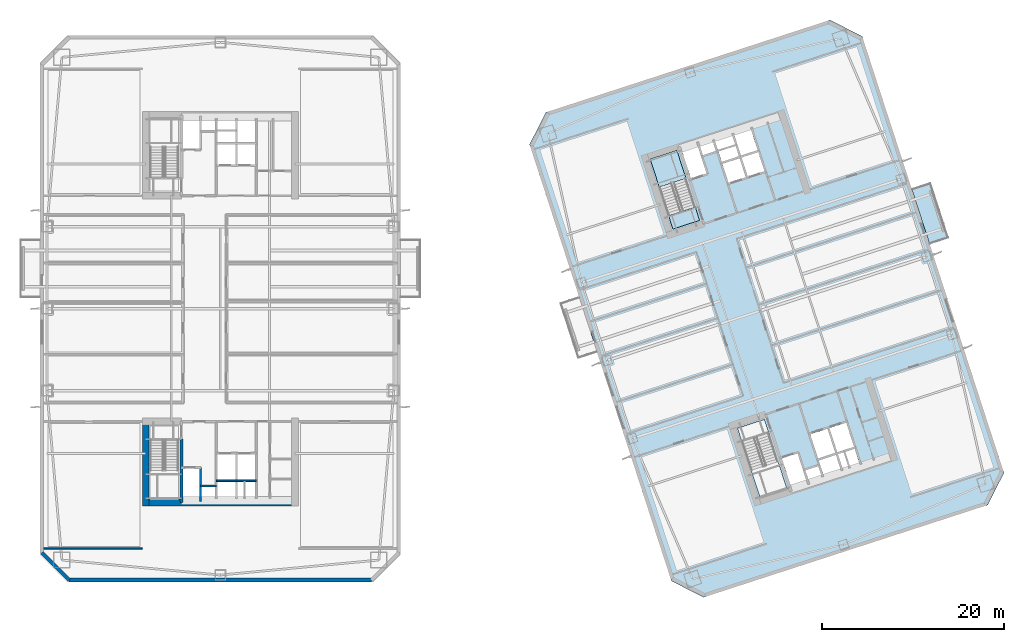
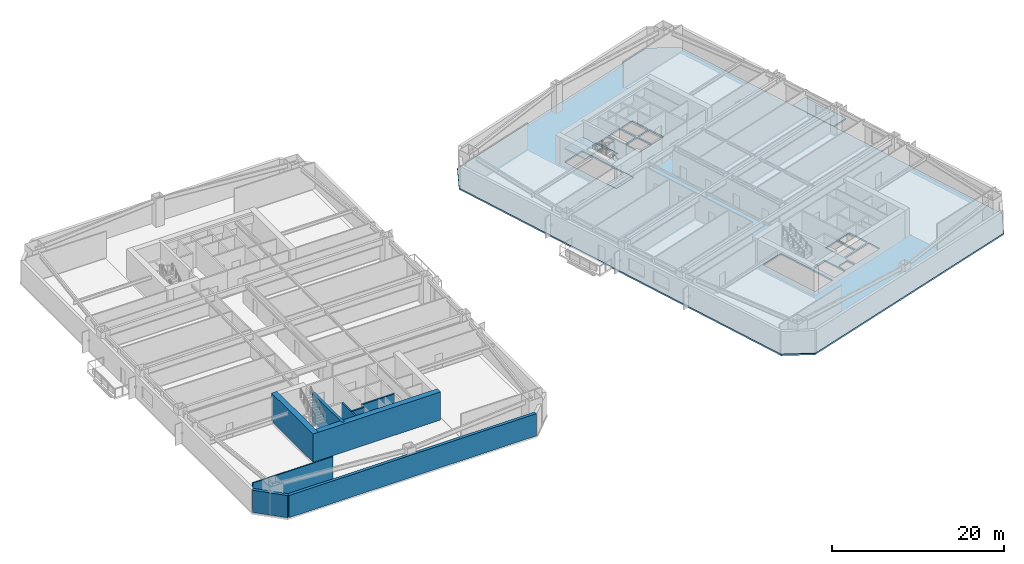
# One storey, part 3 of 21: 9 walls, 4 slabs, 1 element without a shape of its own.
"""IFC4 building model written with IfcOpenShell, lengths in metres."""

from ifc_helpers import new_model, si_unit, direction, frame, frame_2d, origin, place, context, subcontext, project, spatial, polyline, rectangle, outline, extrude, material, layer, layer_set, type_object, element, aggregate, save


model = new_model("IFC4")

# Units and contexts
model_context = context("Model", 3, precision=1e-05, world=origin(), true_north=direction((0.0, 1.0)))
body_context = subcontext(model_context, "Body", "Model", "MODEL_VIEW")
ifc_project = project(units=[si_unit("LENGTHUNIT", "METRE"), si_unit("AREAUNIT", "SQUARE_METRE"), si_unit("VOLUMEUNIT", "CUBIC_METRE"), si_unit("PLANEANGLEUNIT", "RADIAN"), si_unit("MASSUNIT", "GRAM", prefix="KILO")], contexts=[model_context])

# Site, building, storey
site_placement = place(None, origin())
site = spatial("IfcSite", under=ifc_project, at=site_placement, CompositionType="ELEMENT")
building_placement = place(site_placement, origin())
building = spatial("IfcBuilding", under=site, at=building_placement, Name="Qiaolan Cultural Towers", CompositionType="ELEMENT")
storey_placement = place(building_placement, frame((0.0, 0.0, 34.0)))
storey = spatial("IfcBuildingStorey", under=building, at=storey_placement, Name="L07", CompositionType="ELEMENT", Elevation=34.0)

# Slab
ifc_material_1 = material(Name="Concrete C45", Category="concrete")
ifc_layer_1 = layer(ifc_material_1, 0.239990234375)
ifc_layer_set_1 = layer_set([ifc_layer_1], Name="Concrete C45")
slab_type_1 = type_object("IfcSlabType", Name="SL-BAL-240", PredefinedType="FLOOR", material=ifc_layer_set_1)
slab_1_placement = place(storey_placement, frame((0.0, 0.0, -0.239990234375)))
element("IfcSlab", 1, at=slab_1_placement, inside=storey, type_object=slab_type_1, Name="L07 T2 Planted Tree Balcony E", PredefinedType="FLOOR", context=body_context, shape_type="SweptSolid", body=[
    extrude(outline(polyline([(107.889404296875, 41.074462890625), (109.981689453125, 41.754150390625), (108.004150390625, 47.841064453125), (105.911865234375, 47.1611328125), (107.889404296875, 41.074462890625)])), origin(), (0.0, 0.0, 1.0), 0.239990234375),
])

# Stair, slab
ifc_material_2 = material(Name="Concrete C45", Category="concrete")
stair_type = type_object("IfcStairType", Name="STR-CORE-1500", PredefinedType="HALF_TURN_STAIR", material=ifc_material_2)
stair_placement = place(storey_placement, origin())
stair = element("IfcStair", 2, at=stair_placement, inside=storey, type_object=stair_type, Name="L07 Smokeproof Exit Stair ST-E2", PredefinedType="HALF_TURN_STAIR")
ifc_material_3 = material(Name="Concrete C45", Category="concrete")
ifc_layer_2 = layer(ifc_material_3, 0.199951171875)
ifc_layer_set_2 = layer_set([ifc_layer_2], Name="Concrete C45")
slab_type_2 = type_object("IfcSlabType", Name="SL-STAIR-LAND", PredefinedType="LANDING", material=ifc_layer_set_2)
slab_2_placement = place(storey_placement, frame((0.0, 0.0, 1.800048828125)))
slab_2 = element("IfcSlab", 3, at=slab_2_placement, type_object=slab_type_2, Name="ST-E2 landing 1", PredefinedType="LANDING", context=body_context, shape_type="SweptSolid", body=[
    extrude(outline(polyline([(81.124755859375, 48.306396484375), (80.1201171875, 51.3984375), (77.190673828125, 50.44677734375), (78.195556640625, 47.3544921875), (81.124755859375, 48.306396484375)])), origin(), (0.0, 0.0, 1.0), 0.199951171875),
])
aggregate(stair, [slab_2])

# Slabs
ifc_material_4 = material(Name="Concrete C40", Category="concrete")
ifc_layer_3 = layer(ifc_material_4, 0.360107421875)
ifc_layer_set_3 = layer_set([ifc_layer_3], Name="Concrete C40")
slab_type_3 = type_object("IfcSlabType", Name="SL-STFLR-360", PredefinedType="LANDING", material=ifc_layer_set_3)
slab_3_placement = place(storey_placement, frame((0.0, 0.0, -0.360107421875)))
element("IfcSlab", 4, at=slab_3_placement, inside=storey, type_object=slab_type_3, Name="L07 ST-E2 Stair Floor Landing Slab", PredefinedType="LANDING", context=body_context, shape_type="SweptSolid", body=[
    extrude(outline(polyline([(82.62060546875, 43.6962890625), (82.141845703125, 45.169677734375), (79.21630859375, 44.21923828125), (79.695068359375, 42.74560546875), (82.62060546875, 43.6962890625)])), origin(), (0.0, 0.0, 1.0), 0.360107421875),
])
ifc_material_5 = material(Name="Concrete C45", Category="concrete")
ifc_layer_4 = layer(ifc_material_5, 0.219970703125)
ifc_layer_set_4 = layer_set([ifc_layer_4], Name="Concrete C45")
slab_type_4 = type_object("IfcSlabType", Name="SL-TYP-220", PredefinedType="FLOOR", material=ifc_layer_set_4)
slab_4_placement = place(storey_placement, frame((0.0, 0.0, -0.219970703125)))
element("IfcSlab", 5, at=slab_4_placement, inside=storey, type_object=slab_type_4, Name="L07 East Tower Floor Slab", PredefinedType="FLOOR", context=body_context, shape_type="SweptSolid", body=[
    extrude(outline(polyline([(83.05517578125, 2.302490234375), (114.249755859375, 12.438232421875), (116.047607421875, 15.966552734375), (100.47314453125, 63.899658203125), (96.94482421875, 65.697509765625), (65.750244140625, 55.561767578125), (63.952392578125, 52.033447265625), (79.52685546875, 4.100341796875), (83.05517578125, 2.302490234375)]), holes=[polyline([(86.80126953125, 20.868896484375), (89.30419921875, 13.165283203125), (92.2333984375, 14.116943359375), (89.73046875, 21.820556640625), (86.80126953125, 20.868896484375)]), polyline([(82.623046875, 43.69482421875), (80.1201171875, 51.3984375), (77.190673828125, 50.44677734375), (79.69384765625, 42.7431640625), (82.623046875, 43.69482421875)]), polyline([(92.666259765625, 14.468017578125), (94.42578125, 15.03955078125), (93.42138671875, 18.130615234375), (91.661865234375, 17.558837890625), (92.666259765625, 14.468017578125)]), polyline([(94.5908203125, 15.14599609375), (96.027099609375, 15.612548828125), (95.66552734375, 16.725341796875), (94.2294921875, 16.258544921875), (94.5908203125, 15.14599609375)]), polyline([(95.643310546875, 17.5380859375), (97.54541015625, 18.15625), (96.68017578125, 20.819091796875), (94.77783203125, 20.201171875), (95.643310546875, 17.5380859375)]), polyline([(97.735595703125, 18.218017578125), (99.58056640625, 18.8173828125), (98.71533203125, 21.48046875), (96.870361328125, 20.880859375), (97.735595703125, 18.218017578125)]), polyline([(96.245849609375, 15.68359375), (100.18310546875, 16.962890625), (99.6484375, 18.608154296875), (95.711181640625, 17.328857421875), (96.245849609375, 15.68359375)]), polyline([(81.6806640625, 48.278076171875), (83.440185546875, 48.849609375), (82.435791015625, 51.940673828125), (80.67626953125, 51.368896484375), (81.6806640625, 48.278076171875)]), polyline([(82.993408203125, 50.839111328125), (84.4296875, 51.3056640625), (84.068115234375, 52.41845703125), (82.632080078125, 51.95166015625), (82.993408203125, 50.839111328125)]), polyline([(85.810302734375, 47.80078125), (87.71240234375, 48.418701171875), (87.013916015625, 50.568115234375), (85.11181640625, 49.9501953125), (85.810302734375, 47.80078125)]), polyline([(87.902587890625, 48.480712890625), (89.74755859375, 49.080078125), (89.04931640625, 51.2294921875), (87.2041015625, 50.6298828125), (87.902587890625, 48.480712890625)]), polyline([(85.05322265625, 50.130859375), (86.936279296875, 50.74267578125), (86.169921875, 53.101318359375), (84.286865234375, 52.489501953125), (85.05322265625, 50.130859375)]), polyline([(87.1455078125, 50.810791015625), (88.990478515625, 51.41015625), (88.22412109375, 53.768798828125), (86.379150390625, 53.169189453125), (87.1455078125, 50.810791015625)])]), origin(), (0.0, 0.0, 1.0), 0.219970703125),
])

# Walls
ifc_material_6 = material(Name="Concrete C50", Category="concrete")
ifc_layer_5 = layer(ifc_material_6, 0.35009765625)
ifc_layer_set_5 = layer_set([ifc_layer_5], Name="Concrete C50")
wall_type_1 = type_object("IfcWallType", Name="WL-CORE-350", PredefinedType="SHEAR", material=ifc_layer_set_5)
wall_1_placement = place(storey_placement, frame((25.719970703125, 19.699951171875, 0.0), z_axis=(0.0, 0.0, 1.0), x_axis=(0.0, -1.0, 0.0)))
element("IfcWall", 6, at=wall_1_placement, inside=storey, type_object=wall_type_1, Name="L07 T1-CS Stair Core Dividing Web", PredefinedType="SHEAR", context=body_context, shape_type="SweptSolid", body=[
    extrude(rectangle(XDim=6.97998046875, YDim=0.35009765625, at=frame_2d((3.489990234375, 0.0))), origin(), (0.0, 0.0, 1.0), 4.0),
])
ifc_material_7 = material(Name="Concrete C60", Category="concrete")
ifc_layer_6 = layer(ifc_material_7, 0.75)
ifc_layer_set_6 = layer_set([ifc_layer_6], Name="Concrete C60")
wall_type_2 = type_object("IfcWallType", Name="WL-CORE-750", PredefinedType="SHEAR", material=ifc_layer_set_6)
wall_2_placement = place(storey_placement, frame((21.425048828125, 12.719970703125, 0.0), z_axis=(0.0, 0.0, 1.0), x_axis=(1.0, 0.0, 0.0)))
element("IfcWall", 7, at=wall_2_placement, inside=storey, type_object=wall_type_2, Name="L07 T1-CS Outer Core Shear Wall", PredefinedType="SHEAR", context=body_context, shape_type="SweptSolid", body=[
    extrude(rectangle(XDim=17.14990234375, YDim=0.75, at=frame_2d((8.574951171875, 0.0))), origin(), (0.0, 0.0, 1.0), 4.0),
])
wall_3_placement = place(storey_placement, frame((21.800048828125, 21.97509765625, 0.0), z_axis=(0.0, 0.0, 1.0), x_axis=(0.0, -1.0, 0.0)))
element("IfcWall", 8, at=wall_3_placement, inside=storey, type_object=wall_type_2, Name="L07 T1-CS West Core Shear Wall", PredefinedType="SHEAR", context=body_context, shape_type="SweptSolid", body=[
    extrude(rectangle(XDim=9.630126953125, YDim=0.75, at=frame_2d((4.81494140625, 0.0))), origin(), (0.0, 0.0, 1.0), 4.0),
])
ifc_material_8 = material(Name="Precast Concrete C50 Honed Stone Pier", Category="masonry")
ifc_layer_7 = layer(ifc_material_8, 0.39990234375)
ifc_layer_set_7 = layer_set([ifc_layer_7], Name="Precast Concrete C50 Honed Stone Pier")
wall_type_3 = type_object("IfcWallType", Name="WL-EXT-PIER-400", PredefinedType="SOLIDWALL", material=ifc_layer_set_7)
wall_4_placement = place(storey_placement, frame((46.60009765625, 4.199951171875, 0.0), z_axis=(0.0, 0.0, 1.0), x_axis=(-1.0, 0.0, 0.0)))
element("IfcWall", 9, at=wall_4_placement, inside=storey, type_object=wall_type_3, Name="L07 West Tower Precast Pier Facade Wall F7", PredefinedType="SOLIDWALL", context=body_context, shape_type="SweptSolid", body=[
    extrude(rectangle(XDim=33.2001953125, YDim=0.39990234375, at=frame_2d((16.60009765625, 0.0))), origin(), (0.0, 0.0, 1.0), 3.159912109375),
])
wall_5_placement = place(storey_placement, frame((13.39990234375, 4.199951171875, 0.0), z_axis=(0.0, 0.0, 1.0), x_axis=(-0.707106781187, 0.707106781187, 0.0)))
element("IfcWall", 10, at=wall_5_placement, inside=storey, type_object=wall_type_3, Name="L07 West Tower Precast Pier Facade Wall F8", PredefinedType="SOLIDWALL", context=body_context, shape_type="SweptSolid", body=[
    extrude(rectangle(XDim=4.24267578125, YDim=0.39990234375, at=frame_2d((2.121337890625, 0.0))), origin(), (0.0, 0.0, 1.0), 3.159912109375),
])
ifc_material_9 = material(Name="Concrete C35 Fire Wall", Category="concrete")
ifc_layer_8 = layer(ifc_material_9, 0.199951171875)
ifc_layer_set_8 = layer_set([ifc_layer_8], Name="Concrete C35 Fire Wall")
wall_type_4 = type_object("IfcWallType", Name="WL-FIRE-200", PredefinedType="PARTITIONING", material=ifc_layer_set_8)
wall_6_placement = place(storey_placement, frame((27.820068359375, 16.550048828125, 0.0), z_axis=(0.0, 0.0, 1.0), x_axis=(0.0, -1.0, 0.0)))
element("IfcWall", 11, at=wall_6_placement, inside=storey, type_object=wall_type_4, Name="L07 T1-CS Firefighting Hoistway East Wall", PredefinedType="PARTITIONING", context=body_context, shape_type="SweptSolid", body=[
    extrude(rectangle(XDim=3.699951171875, YDim=0.199951171875, at=frame_2d((1.85009765625, 0.0))), origin(), (0.0, 0.0, 1.0), 3.72509765625),
])
wall_7_placement = place(storey_placement, frame((27.820068359375, 14.52001953125, 0.0), z_axis=(0.0, 0.0, 1.0), x_axis=(1.0, 0.0, 0.0)))
element("IfcWall", 12, at=wall_7_placement, inside=storey, type_object=wall_type_4, Name="L07 T1-CS Pressurization Shaft Front Wall", PredefinedType="PARTITIONING", context=body_context, shape_type="SweptSolid", body=[
    extrude(rectangle(XDim=1.72998046875, YDim=0.199951171875, at=frame_2d((0.864990234375, 0.0))), origin(), (0.0, 0.0, 1.0), 3.72509765625),
])
wall_8_placement = place(storey_placement, frame((29.550048828125, 15.10009765625, 0.0), z_axis=(0.0, 0.0, 1.0), x_axis=(1.0, 0.0, 0.0)))
element("IfcWall", 13, at=wall_8_placement, inside=storey, type_object=wall_type_4, Name="L07 T1-CS Passenger Lift Shaft Back Wall", PredefinedType="PARTITIONING", context=body_context, shape_type="SweptSolid", body=[
    extrude(rectangle(XDim=4.39990234375, YDim=0.199951171875, at=frame_2d((2.199951171875, 0.0))), origin(), (0.0, 0.0, 1.0), 3.72509765625),
])
ifc_material_10 = material(Name="Autoclaved Aerated Concrete Block B06", Category="concrete")
ifc_layer_9 = layer(ifc_material_10, 0.14990234375)
ifc_layer_set_9 = layer_set([ifc_layer_9], Name="Autoclaved Aerated Concrete Block B06")
wall_type_5 = type_object("IfcWallType", Name="WL-PART-150", PredefinedType="PARTITIONING", material=ifc_layer_set_9)
wall_9_placement = place(storey_placement, frame((10.60009765625, 7.64990234375, 0.0), z_axis=(0.0, 0.0, 1.0), x_axis=(1.0, 0.0, 0.0)))
element("IfcWall", 14, at=wall_9_placement, inside=storey, type_object=wall_type_5, Name="L07 T1 Flank Wall FLK-SW", PredefinedType="PARTITIONING", context=body_context, shape_type="SweptSolid", body=[
    extrude(rectangle(XDim=10.7998046875, YDim=0.14990234375, at=frame_2d((5.39990234375, 0.0))), origin(), (0.0, 0.0, 1.0), 3.72509765625),
])

save(model, "model.ifc")
